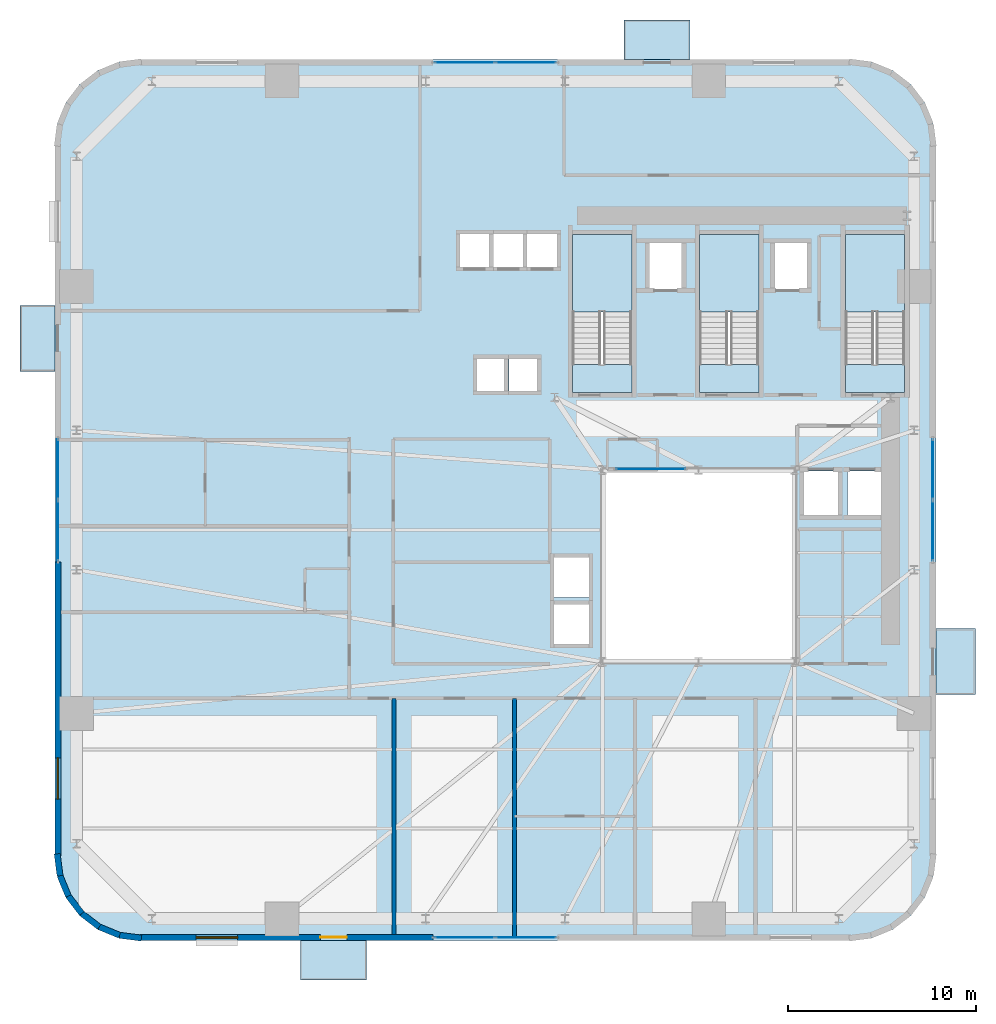
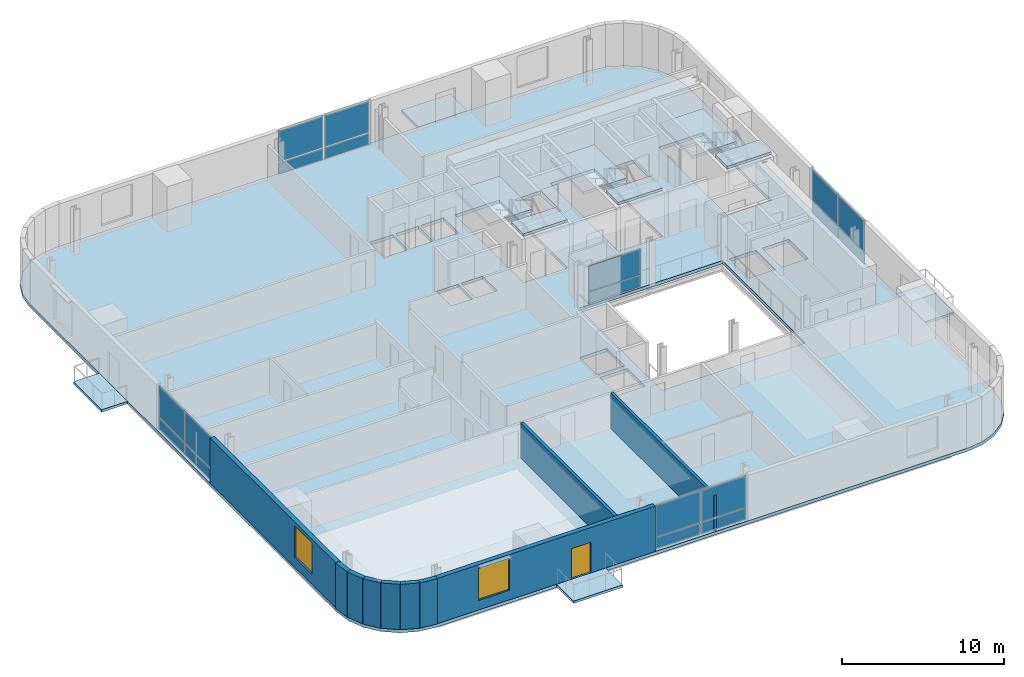
# One storey, part 5 of 13: 18 plates, 11 slabs, 10 walls, 2 windows, 1 door, 3 openings, 8 elements without a shape of their own.
"""IFC4 building model written with IfcOpenShell, lengths in metres."""

from ifc_helpers import new_model, si_unit, direction, frame, frame_2d, origin, origin_2d, place, context, subcontext, project, spatial, polyline, rectangle, outline, extrude, source, transform, mapped, material, layer, layer_set, type_object, element, fill, aggregate, save


model = new_model("IFC4")

# Units and contexts
model_context = context("Model", 3, precision=1e-05, world=origin(), true_north=direction((0.0, 1.0)))
body_context = subcontext(model_context, "Body", "Model", "MODEL_VIEW")
ifc_project = project(units=[si_unit("LENGTHUNIT", "METRE"), si_unit("AREAUNIT", "SQUARE_METRE"), si_unit("VOLUMEUNIT", "CUBIC_METRE"), si_unit("PLANEANGLEUNIT", "RADIAN"), si_unit("MASSUNIT", "GRAM", prefix="KILO")], contexts=[model_context])

# Site, building, storey
site_placement = place(None, origin())
site = spatial("IfcSite", under=ifc_project, at=site_placement, CompositionType="ELEMENT")
building_placement = place(site_placement, origin())
building = spatial("IfcBuilding", under=site, at=building_placement, Name="Vardaveli Station Tower", CompositionType="ELEMENT")
storey_placement = place(building_placement, frame((0.0, 0.0, 31.25)))
storey = spatial("IfcBuildingStorey", under=building, at=storey_placement, Name="L07", CompositionType="ELEMENT", Elevation=31.25)

# Stair, slabs
ifc_material_1 = material(Name="Concrete C40/50", Category="concrete")
stair_type = type_object("IfcStairType", Name="STR-CORE-1500", PredefinedType="HALF_TURN_STAIR", material=ifc_material_1)
stair_1_placement = place(storey_placement, origin())
stair_1 = element("IfcStair", 1, at=stair_1_placement, inside=storey, type_object=stair_type, Name="L07 ST-1", PredefinedType="HALF_TURN_STAIR")
ifc_layer_1 = layer(ifc_material_1, 0.199951171875, Name="Concrete C40/50")
ifc_layer_set_1 = layer_set([ifc_layer_1], Name="Concrete C40/50")
slab_type_1 = type_object("IfcSlabType", Name="SLB-LAND-200", PredefinedType="LANDING", material=ifc_layer_set_1)
slab_1_placement = place(storey_placement, frame((0.0, 0.0, 1.625)))
slab_1 = element("IfcSlab", 2, at=slab_1_placement, type_object=slab_type_1, Name="ST-1 landing 1", PredefinedType="LANDING", context=body_context, shape_type="SweptSolid", body=[
    extrude(outline(polyline([(32.75, 35.199951171875), (32.75, 39.300048828125), (29.60009765625, 39.300048828125), (29.60009765625, 35.199951171875), (32.75, 35.199951171875)])), origin(), (0.0, 0.0, 1.0), 0.199951171875),
])
slab_2_placement = place(storey_placement, frame((0.0, 0.0, 3.449951171875)))
slab_2 = element("IfcSlab", 3, at=slab_2_placement, type_object=slab_type_1, Name="ST-1 landing 2", PredefinedType="LANDING", context=body_context, shape_type="SweptSolid", body=[
    extrude(outline(polyline([(32.75, 30.89990234375), (32.75, 32.39990234375), (29.60009765625, 32.39990234375), (29.60009765625, 30.89990234375), (32.75, 30.89990234375)])), origin(), (0.0, 0.0, 1.0), 0.199951171875),
])
aggregate(stair_1, [slab_1, slab_2])

stair_2_placement = place(storey_placement, origin())
stair_2 = element("IfcStair", 4, at=stair_2_placement, inside=storey, type_object=stair_type, Name="L07 ST-2", PredefinedType="HALF_TURN_STAIR")
slab_3_placement = place(storey_placement, frame((0.0, 0.0, 1.625)))
slab_3 = element("IfcSlab", 5, at=slab_3_placement, type_object=slab_type_1, Name="ST-2 landing 1", PredefinedType="LANDING", context=body_context, shape_type="SweptSolid", body=[
    extrude(outline(polyline([(39.5, 35.199951171875), (39.5, 39.300048828125), (36.35009765625, 39.300048828125), (36.35009765625, 35.199951171875), (39.5, 35.199951171875)])), origin(), (0.0, 0.0, 1.0), 0.199951171875),
])
slab_4_placement = place(storey_placement, frame((0.0, 0.0, 3.449951171875)))
slab_4 = element("IfcSlab", 6, at=slab_4_placement, type_object=slab_type_1, Name="ST-2 landing 2", PredefinedType="LANDING", context=body_context, shape_type="SweptSolid", body=[
    extrude(outline(polyline([(39.5, 30.89990234375), (39.5, 32.39990234375), (36.35009765625, 32.39990234375), (36.35009765625, 30.89990234375), (39.5, 30.89990234375)])), origin(), (0.0, 0.0, 1.0), 0.199951171875),
])
aggregate(stair_2, [slab_3, slab_4])

stair_3_placement = place(storey_placement, origin())
stair_3 = element("IfcStair", 7, at=stair_3_placement, inside=storey, type_object=stair_type, Name="L07 ST-3", PredefinedType="HALF_TURN_STAIR")
slab_5_placement = place(storey_placement, frame((0.0, 0.0, 1.625)))
slab_5 = element("IfcSlab", 8, at=slab_5_placement, type_object=slab_type_1, Name="ST-3 landing 1", PredefinedType="LANDING", context=body_context, shape_type="SweptSolid", body=[
    extrude(outline(polyline([(47.25, 35.199951171875), (47.25, 39.300048828125), (44.10009765625, 39.300048828125), (44.10009765625, 35.199951171875), (47.25, 35.199951171875)])), origin(), (0.0, 0.0, 1.0), 0.199951171875),
])
slab_6_placement = place(storey_placement, frame((0.0, 0.0, 3.449951171875)))
slab_6 = element("IfcSlab", 9, at=slab_6_placement, type_object=slab_type_1, Name="ST-3 landing 2", PredefinedType="LANDING", context=body_context, shape_type="SweptSolid", body=[
    extrude(outline(polyline([(47.25, 30.89990234375), (47.25, 32.39990234375), (44.10009765625, 32.39990234375), (44.10009765625, 30.89990234375), (47.25, 30.89990234375)])), origin(), (0.0, 0.0, 1.0), 0.199951171875),
])
aggregate(stair_3, [slab_5, slab_6])

# Slabs
ifc_material_2 = material(Name="Precast concrete C45/55", Category="concrete")
ifc_layer_2 = layer(ifc_material_2, 0.179931640625, Name="Precast concrete C45/55")
ifc_layer_set_2 = layer_set([ifc_layer_2], Name="Precast concrete C45/55")
slab_type_2 = type_object("IfcSlabType", Name="SLB-LOGGIA-180", PredefinedType="FLOOR", material=ifc_layer_set_2)
slab_7_placement = place(storey_placement, frame((0.0, 0.0, -0.179931640625)))
element("IfcSlab", 10, at=slab_7_placement, inside=storey, type_object=slab_type_2, Name="LOG-L07-S", PredefinedType="FLOOR", context=body_context, shape_type="SweptSolid", body=[
    extrude(outline(polyline([(15.160400390625, -0.300048828125), (18.660400390625, -0.300048828125), (18.660400390625, 1.800048828125), (15.160400390625, 1.800048828125), (15.160400390625, -0.300048828125)])), origin(), (0.0, 0.0, 1.0), 0.179931640625),
])
slab_8_placement = place(storey_placement, frame((0.0, 0.0, -0.179931640625)))
element("IfcSlab", 11, at=slab_8_placement, inside=storey, type_object=slab_type_2, Name="LOG-L07-N", PredefinedType="FLOOR", context=body_context, shape_type="SweptSolid", body=[
    extrude(outline(polyline([(32.339599609375, 48.60009765625), (35.839599609375, 48.60009765625), (35.839599609375, 50.699951171875), (32.339599609375, 50.699951171875), (32.339599609375, 48.60009765625)])), origin(), (0.0, 0.0, 1.0), 0.179931640625),
])
slab_9_placement = place(storey_placement, frame((0.0, 0.0, -0.179931640625)))
element("IfcSlab", 12, at=slab_9_placement, inside=storey, type_object=slab_type_2, Name="LOG-L07-W", PredefinedType="FLOOR", context=body_context, shape_type="SweptSolid", body=[
    extrude(outline(polyline([(0.25, 32.03955078125), (2.10009765625, 32.03955078125), (2.10009765625, 35.53955078125), (0.25, 35.53955078125), (0.25, 32.03955078125)])), origin(), (0.0, 0.0, 1.0), 0.179931640625),
])
slab_10_placement = place(storey_placement, frame((0.0, 0.0, -0.179931640625)))
element("IfcSlab", 13, at=slab_10_placement, inside=storey, type_object=slab_type_2, Name="LOG-L07-E", PredefinedType="FLOOR", context=body_context, shape_type="SweptSolid", body=[
    extrude(outline(polyline([(48.89990234375, 14.8603515625), (51.0, 14.8603515625), (51.0, 18.3603515625), (48.89990234375, 18.3603515625), (48.89990234375, 14.8603515625)])), origin(), (0.0, 0.0, 1.0), 0.179931640625),
])
ifc_layer_3 = layer(ifc_material_1, 0.239990234375, Name="Concrete C40/50")
ifc_layer_set_3 = layer_set([ifc_layer_3], Name="Concrete C40/50")
slab_type_3 = type_object("IfcSlabType", Name="SLB-TOW-240", PredefinedType="FLOOR", material=ifc_layer_set_3)
slab_11_placement = place(storey_placement, frame((0.0, 0.0, -0.239990234375)))
element("IfcSlab", 14, at=slab_11_placement, inside=storey, type_object=slab_type_3, Name="SLB-L07-MAIN", PredefinedType="FLOOR", context=body_context, shape_type="SweptSolid", body=[
    extrude(outline(polyline([(2.10009765625, 6.300048828125), (2.25341796875, 5.13525390625), (2.702880859375, 4.050048828125), (3.41796875, 3.117919921875), (4.35009765625, 2.40283203125), (5.435302734375, 1.953369140625), (6.60009765625, 1.800048828125), (44.39990234375, 1.800048828125), (45.564697265625, 1.953369140625), (46.64990234375, 2.40283203125), (47.58203125, 3.117919921875), (48.297119140625, 4.050048828125), (48.74658203125, 5.13525390625), (48.89990234375, 6.300048828125), (48.89990234375, 44.10009765625), (48.74658203125, 45.2646484375), (48.297119140625, 46.35009765625), (47.58203125, 47.281982421875), (46.64990234375, 47.9970703125), (45.564697265625, 48.44677734375), (44.39990234375, 48.60009765625), (6.60009765625, 48.60009765625), (5.435302734375, 48.44677734375), (4.35009765625, 47.9970703125), (3.41796875, 47.281982421875), (2.702880859375, 46.35009765625), (2.25341796875, 45.2646484375), (2.10009765625, 44.10009765625), (2.10009765625, 6.300048828125)]), holes=[polyline([(31.199951171875, 16.60009765625), (41.39990234375, 16.60009765625), (41.39990234375, 26.800048828125), (31.199951171875, 26.800048828125), (31.199951171875, 16.60009765625)]), polyline([(32.75, 30.89990234375), (32.75, 39.300048828125), (29.60009765625, 39.300048828125), (29.60009765625, 30.89990234375), (32.75, 30.89990234375)]), polyline([(39.5, 30.89990234375), (39.5, 39.300048828125), (36.35009765625, 39.300048828125), (36.35009765625, 30.89990234375), (39.5, 30.89990234375)]), polyline([(47.25, 30.89990234375), (47.25, 39.300048828125), (44.10009765625, 39.300048828125), (44.10009765625, 30.89990234375), (47.25, 30.89990234375)]), polyline([(23.5849609375, 37.534912109375), (25.215087890625, 37.534912109375), (25.215087890625, 39.364990234375), (23.5849609375, 39.364990234375), (23.5849609375, 37.534912109375)]), polyline([(25.385009765625, 37.534912109375), (27.014892578125, 37.534912109375), (27.014892578125, 39.364990234375), (25.385009765625, 39.364990234375), (25.385009765625, 37.534912109375)]), polyline([(27.18505859375, 37.534912109375), (28.81494140625, 37.534912109375), (28.81494140625, 39.364990234375), (27.18505859375, 39.364990234375), (27.18505859375, 37.534912109375)]), polyline([(33.659912109375, 36.409912109375), (35.43994140625, 36.409912109375), (35.43994140625, 38.889892578125), (33.659912109375, 38.889892578125), (33.659912109375, 36.409912109375)]), polyline([(40.31005859375, 36.409912109375), (42.090087890625, 36.409912109375), (42.090087890625, 38.889892578125), (40.31005859375, 38.889892578125), (40.31005859375, 36.409912109375)]), polyline([(24.485107421875, 30.9599609375), (26.014892578125, 30.9599609375), (26.014892578125, 32.739990234375), (24.485107421875, 32.739990234375), (24.485107421875, 30.9599609375)]), polyline([(26.235107421875, 30.9599609375), (27.764892578125, 30.9599609375), (27.764892578125, 32.739990234375), (26.235107421875, 32.739990234375), (26.235107421875, 30.9599609375)]), polyline([(28.5849609375, 17.510009765625), (30.514892578125, 17.510009765625), (30.514892578125, 19.68994140625), (28.5849609375, 19.68994140625), (28.5849609375, 17.510009765625)]), polyline([(28.5849609375, 20.010009765625), (30.514892578125, 20.010009765625), (30.514892578125, 22.18994140625), (28.5849609375, 22.18994140625), (28.5849609375, 20.010009765625)]), polyline([(41.860107421875, 24.360107421875), (43.739990234375, 24.360107421875), (43.739990234375, 26.739990234375), (41.860107421875, 26.739990234375), (41.860107421875, 24.360107421875)]), polyline([(44.2099609375, 24.360107421875), (46.090087890625, 24.360107421875), (46.090087890625, 26.739990234375), (44.2099609375, 26.739990234375), (44.2099609375, 24.360107421875)])]), origin(), (0.0, 0.0, 1.0), 0.239990234375),
])

# Curtain wall, plates
ifc_material_3 = material(Name="Travertine stone and solar-control glass", Category="masonry")
curtain_wall_type_1 = type_object("IfcCurtainWallType", Name="CW-SYS-2", PredefinedType="NOTDEFINED", material=ifc_material_3)
curtain_wall_1_placement = place(storey_placement, origin())
curtain_wall_1 = element("IfcCurtainWall", 15, at=curtain_wall_1_placement, inside=storey, type_object=curtain_wall_type_1, Name="CW-L07-S", PredefinedType="NOTDEFINED")
ifc_material_4 = material(Name="Double-glazed low-E solar-control glass", Category="glass")
ifc_layer_4 = layer(ifc_material_4, 0.035888671875, Name="Double-glazed low-E solar-control glass")
ifc_layer_set_4 = layer_set([ifc_layer_4], Name="Double-glazed low-E solar-control glass")
plate_type_1 = type_object("IfcPlateType", Name="CW-SYS-2-PAN", PredefinedType="CURTAIN_PANEL", material=ifc_layer_set_4)
shared_shape_1 = source(origin(), body_context, "Body", "SweptSolid", [
    extrude(rectangle(XDim=3.172607421875, YDim=0.035888671875, at=origin_2d()), origin(), (0.0, 0.0, 1.0), 0.822509765625),
])
plate_1_placement = place(storey_placement, frame((23.871337890625, 1.9599609375, 0.0849609375), z_axis=(0.0, 0.0, 1.0), x_axis=(1.0, 0.0, 0.0)))
plate_1 = element("IfcPlate", 16, at=plate_1_placement, type_object=plate_type_1, Name="CW-2 panel 1.1", PredefinedType="CURTAIN_PANEL", context=body_context, shape_type="MappedRepresentation", body=[
    mapped(shared_shape_1, transform((0.0, 0.0, 0.0), scale=1.0)),
])
plate_2_placement = place(storey_placement, frame((27.128662109375, 1.9599609375, 0.0849609375), z_axis=(0.0, 0.0, 1.0), x_axis=(1.0, 0.0, 0.0)))
plate_2 = element("IfcPlate", 17, at=plate_2_placement, type_object=plate_type_1, Name="CW-2 panel 2.1", PredefinedType="CURTAIN_PANEL", context=body_context, shape_type="MappedRepresentation", body=[
    mapped(shared_shape_1, transform((0.0, 0.0, 0.0), scale=1.0)),
])

curtain_wall_2_placement = place(storey_placement, origin())
curtain_wall_2 = element("IfcCurtainWall", 18, at=curtain_wall_2_placement, inside=storey, type_object=curtain_wall_type_1, Name="CW-L07-N", PredefinedType="NOTDEFINED")
plate_3_placement = place(storey_placement, frame((27.128662109375, 48.43994140625, 0.0849609375), z_axis=(0.0, 0.0, 1.0), x_axis=(-1.0, 0.0, 0.0)))
plate_3 = element("IfcPlate", 19, at=plate_3_placement, type_object=plate_type_1, Name="CW-2 panel 1.1", PredefinedType="CURTAIN_PANEL", context=body_context, shape_type="MappedRepresentation", body=[
    mapped(shared_shape_1, transform((0.0, 0.0, 0.0), scale=1.0)),
])
plate_4_placement = place(storey_placement, frame((23.871337890625, 48.43994140625, 0.0849609375), z_axis=(0.0, 0.0, 1.0), x_axis=(-1.0, 0.0, 0.0)))
plate_4 = element("IfcPlate", 20, at=plate_4_placement, type_object=plate_type_1, Name="CW-2 panel 2.1", PredefinedType="CURTAIN_PANEL", context=body_context, shape_type="MappedRepresentation", body=[
    mapped(shared_shape_1, transform((0.0, 0.0, 0.0), scale=1.0)),
])

curtain_wall_3_placement = place(storey_placement, origin())
curtain_wall_3 = element("IfcCurtainWall", 21, at=curtain_wall_3_placement, inside=storey, type_object=curtain_wall_type_1, Name="CW-L07-W", PredefinedType="NOTDEFINED")
plate_5_placement = place(storey_placement, frame((2.260009765625, 26.828857421875, 0.0849609375), z_axis=(0.0, 0.0, 1.0), x_axis=(0.0, -1.0, 0.0)))
plate_5 = element("IfcPlate", 22, at=plate_5_placement, type_object=plate_type_1, Name="CW-2 panel 1.1", PredefinedType="CURTAIN_PANEL", context=body_context, shape_type="MappedRepresentation", body=[
    mapped(shared_shape_1, transform((0.0, 0.0, 0.0), scale=1.0)),
])
plate_6_placement = place(storey_placement, frame((2.260009765625, 23.5712890625, 0.0849609375), z_axis=(0.0, 0.0, 1.0), x_axis=(0.0, -1.0, 0.0)))
plate_6 = element("IfcPlate", 23, at=plate_6_placement, type_object=plate_type_1, Name="CW-2 panel 2.1", PredefinedType="CURTAIN_PANEL", context=body_context, shape_type="MappedRepresentation", body=[
    mapped(shared_shape_1, transform((0.0, 0.0, 0.0), scale=1.0)),
])

curtain_wall_4_placement = place(storey_placement, origin())
curtain_wall_4 = element("IfcCurtainWall", 24, at=curtain_wall_4_placement, inside=storey, type_object=curtain_wall_type_1, Name="CW-L07-E", PredefinedType="NOTDEFINED")
plate_7_placement = place(storey_placement, frame((48.739990234375, 23.5712890625, 0.0849609375), z_axis=(0.0, 0.0, 1.0), x_axis=(0.0, 1.0, 0.0)))
plate_7 = element("IfcPlate", 25, at=plate_7_placement, type_object=plate_type_1, Name="CW-2 panel 1.1", PredefinedType="CURTAIN_PANEL", context=body_context, shape_type="MappedRepresentation", body=[
    mapped(shared_shape_1, transform((0.0, 0.0, 0.0), scale=1.0)),
])
plate_8_placement = place(storey_placement, frame((48.739990234375, 26.828857421875, 0.0849609375), z_axis=(0.0, 0.0, 1.0), x_axis=(0.0, 1.0, 0.0)))
plate_8 = element("IfcPlate", 26, at=plate_8_placement, type_object=plate_type_1, Name="CW-2 panel 2.1", PredefinedType="CURTAIN_PANEL", context=body_context, shape_type="MappedRepresentation", body=[
    mapped(shared_shape_1, transform((0.0, 0.0, 0.0), scale=1.0)),
])

# Plate
shared_shape_2 = source(origin(), body_context, "Body", "SweptSolid", [
    extrude(rectangle(XDim=3.172607421875, YDim=0.035888671875, at=origin_2d()), origin(), (0.0, 0.0, 1.0), 2.33251953125),
])
plate_9_placement = place(storey_placement, frame((23.871337890625, 1.9599609375, 0.992431640625), z_axis=(0.0, 0.0, 1.0), x_axis=(1.0, 0.0, 0.0)))
plate_9 = element("IfcPlate", 27, at=plate_9_placement, type_object=plate_type_1, Name="CW-2 panel 1.2", PredefinedType="CURTAIN_PANEL", context=body_context, shape_type="MappedRepresentation", body=[
    mapped(shared_shape_2, transform((0.0, 0.0, 0.0), scale=1.0)),
])

plate_10_placement = place(storey_placement, frame((27.128662109375, 1.9599609375, 0.992431640625), z_axis=(0.0, 0.0, 1.0), x_axis=(1.0, 0.0, 0.0)))
plate_10 = element("IfcPlate", 28, at=plate_10_placement, type_object=plate_type_1, Name="CW-2 panel 2.2", PredefinedType="CURTAIN_PANEL", context=body_context, shape_type="MappedRepresentation", body=[
    mapped(shared_shape_2, transform((0.0, 0.0, 0.0), scale=1.0)),
])

aggregate(curtain_wall_1, [plate_1, plate_9, plate_2, plate_10])

plate_11_placement = place(storey_placement, frame((27.128662109375, 48.43994140625, 0.992431640625), z_axis=(0.0, 0.0, 1.0), x_axis=(-1.0, 0.0, 0.0)))
plate_11 = element("IfcPlate", 29, at=plate_11_placement, type_object=plate_type_1, Name="CW-2 panel 1.2", PredefinedType="CURTAIN_PANEL", context=body_context, shape_type="MappedRepresentation", body=[
    mapped(shared_shape_2, transform((0.0, 0.0, 0.0), scale=1.0)),
])

plate_12_placement = place(storey_placement, frame((23.871337890625, 48.43994140625, 0.992431640625), z_axis=(0.0, 0.0, 1.0), x_axis=(-1.0, 0.0, 0.0)))
plate_12 = element("IfcPlate", 30, at=plate_12_placement, type_object=plate_type_1, Name="CW-2 panel 2.2", PredefinedType="CURTAIN_PANEL", context=body_context, shape_type="MappedRepresentation", body=[
    mapped(shared_shape_2, transform((0.0, 0.0, 0.0), scale=1.0)),
])

aggregate(curtain_wall_2, [plate_3, plate_11, plate_4, plate_12])

plate_13_placement = place(storey_placement, frame((2.260009765625, 26.828857421875, 0.992431640625), z_axis=(0.0, 0.0, 1.0), x_axis=(0.0, -1.0, 0.0)))
plate_13 = element("IfcPlate", 31, at=plate_13_placement, type_object=plate_type_1, Name="CW-2 panel 1.2", PredefinedType="CURTAIN_PANEL", context=body_context, shape_type="MappedRepresentation", body=[
    mapped(shared_shape_2, transform((0.0, 0.0, 0.0), scale=1.0)),
])

plate_14_placement = place(storey_placement, frame((2.260009765625, 23.5712890625, 0.992431640625), z_axis=(0.0, 0.0, 1.0), x_axis=(0.0, -1.0, 0.0)))
plate_14 = element("IfcPlate", 32, at=plate_14_placement, type_object=plate_type_1, Name="CW-2 panel 2.2", PredefinedType="CURTAIN_PANEL", context=body_context, shape_type="MappedRepresentation", body=[
    mapped(shared_shape_2, transform((0.0, 0.0, 0.0), scale=1.0)),
])

aggregate(curtain_wall_3, [plate_5, plate_13, plate_6, plate_14])

plate_15_placement = place(storey_placement, frame((48.739990234375, 23.5712890625, 0.992431640625), z_axis=(0.0, 0.0, 1.0), x_axis=(0.0, 1.0, 0.0)))
plate_15 = element("IfcPlate", 33, at=plate_15_placement, type_object=plate_type_1, Name="CW-2 panel 1.2", PredefinedType="CURTAIN_PANEL", context=body_context, shape_type="MappedRepresentation", body=[
    mapped(shared_shape_2, transform((0.0, 0.0, 0.0), scale=1.0)),
])

plate_16_placement = place(storey_placement, frame((48.739990234375, 26.828857421875, 0.992431640625), z_axis=(0.0, 0.0, 1.0), x_axis=(0.0, 1.0, 0.0)))
plate_16 = element("IfcPlate", 34, at=plate_16_placement, type_object=plate_type_1, Name="CW-2 panel 2.2", PredefinedType="CURTAIN_PANEL", context=body_context, shape_type="MappedRepresentation", body=[
    mapped(shared_shape_2, transform((0.0, 0.0, 0.0), scale=1.0)),
])

aggregate(curtain_wall_4, [plate_7, plate_15, plate_8, plate_16])

# Curtain wall, plates
curtain_wall_type_2 = type_object("IfcCurtainWallType", Name="CW-SYS-4", PredefinedType="NOTDEFINED", material=ifc_material_3)
curtain_wall_5_placement = place(storey_placement, origin())
curtain_wall_5 = element("IfcCurtainWall", 35, at=curtain_wall_5_placement, inside=storey, type_object=curtain_wall_type_2, Name="CW-L07-ATN", PredefinedType="NOTDEFINED")
ifc_layer_5 = layer(ifc_material_4, 0.028076171875, Name="Double-glazed low-E solar-control glass")
ifc_layer_set_5 = layer_set([ifc_layer_5], Name="Double-glazed low-E solar-control glass")
plate_type_2 = type_object("IfcPlateType", Name="CW-SYS-4-PAN", PredefinedType="CURTAIN_PANEL", material=ifc_layer_set_5)
shared_shape_3 = source(origin(), body_context, "Body", "SweptSolid", [
    extrude(rectangle(XDim=3.659912109375, YDim=0.028076171875, at=origin_2d()), origin(), (0.0, 0.0, 1.0), 0.844970703125),
])
plate_17_placement = place(storey_placement, frame((33.75, 26.85009765625, 0.06982421875), z_axis=(0.0, 0.0, 1.0), x_axis=(1.0, 0.0, 0.0)))
plate_17 = element("IfcPlate", 36, at=plate_17_placement, type_object=plate_type_2, Name="CW-4 panel 1.1", PredefinedType="CURTAIN_PANEL", context=body_context, shape_type="MappedRepresentation", body=[
    mapped(shared_shape_3, transform((0.0, 0.0, 0.0), scale=1.0)),
])
shared_shape_4 = source(origin(), body_context, "Body", "SweptSolid", [
    extrude(rectangle(XDim=3.659912109375, YDim=0.028076171875, at=origin_2d()), origin(), (0.0, 0.0, 1.0), 1.89501953125),
])
plate_18_placement = place(storey_placement, frame((33.75, 26.85009765625, 0.985107421875), z_axis=(0.0, 0.0, 1.0), x_axis=(1.0, 0.0, 0.0)))
plate_18 = element("IfcPlate", 37, at=plate_18_placement, type_object=plate_type_2, Name="CW-4 panel 1.2", PredefinedType="CURTAIN_PANEL", context=body_context, shape_type="MappedRepresentation", body=[
    mapped(shared_shape_4, transform((0.0, 0.0, 0.0), scale=1.0)),
])
aggregate(curtain_wall_5, [plate_17, plate_18])

# Wall, openings, door, window
ifc_layer_6 = layer(ifc_material_2, 0.320068359375, Name="Precast concrete C45/55")
ifc_layer_set_6 = layer_set([ifc_layer_6], Name="Precast concrete C45/55")
wall_type_1 = type_object("IfcWallType", Name="WAL-EXT-STONE-320", PredefinedType="SOLIDWALL", material=ifc_layer_set_6)
shared_shape_5 = source(origin(), body_context, "Body", "SweptSolid", [
    extrude(rectangle(XDim=15.599853515625, YDim=0.320068359375, at=frame_2d((7.7998046875, 0.0))), origin(), (0.0, 0.0, 1.0), 3.409912109375),
])
wall_1_placement = place(storey_placement, frame((6.60009765625, 1.9599609375, 0.0), z_axis=(0.0, 0.0, 1.0), x_axis=(1.0, 0.0, 0.0)))
wall_1 = element("IfcWall", 38, at=wall_1_placement, inside=storey, type_object=wall_type_1, Name="EW-L07-S1", PredefinedType="SOLIDWALL", context=body_context, shape_type="MappedRepresentation", body=[
    mapped(shared_shape_5, transform((0.0, 0.0, 0.0), scale=1.0)),
])
shared_shape_6 = source(origin(), body_context, "Body", "SweptSolid", [
    extrude(rectangle(XDim=1.39990234375, YDim=2.300048828125, at=frame_2d((0.699951171875, 1.14990234375))), frame((0.0, 0.169921875, 0.0), z_axis=(0.0, -1.0, 0.0), x_axis=(1.0, 0.0, 0.0)), (0.0, 0.0, 1.0), 0.340087890625),
])
opening_1_placement = place(wall_1_placement, frame((9.6103515625, 0.0, 0.0)))
opening_1 = element("IfcOpeningElement", 39, at=opening_1_placement, cuts=wall_1, Name="Opening D-09", PredefinedType="OPENING", context=body_context, shape_type="MappedRepresentation", body=[
    mapped(shared_shape_6, transform((0.0, 0.0, 0.0), scale=1.0)),
])
shared_shape_7 = source(origin(), body_context, "Body", "SweptSolid", [
    extrude(rectangle(XDim=2.199951171875, YDim=2.39990234375, at=frame_2d((1.10009765625, 1.199951171875))), frame((0.0, 0.169921875, 0.0), z_axis=(0.0, -1.0, 0.0), x_axis=(1.0, 0.0, 0.0)), (0.0, 0.0, 1.0), 0.340087890625),
])
opening_2_placement = place(wall_1_placement, frame((3.0048828125, 0.0, 0.719970703125)))
opening_2 = element("IfcOpeningElement", 40, at=opening_2_placement, cuts=wall_1, Name="Opening W-03", PredefinedType="OPENING", context=body_context, shape_type="MappedRepresentation", body=[
    mapped(shared_shape_7, transform((0.0, 0.0, 0.0), scale=1.0)),
])
ifc_material_5 = material(Name="Thermally broken aluminium glass", Category="aluminium")
door_type = type_object("IfcDoorType", Name="DR-LOG-1400x2300", OperationType="DOUBLE_DOOR_SLIDING", PredefinedType="DOOR", material=ifc_material_5)
shared_shape_8 = source(origin(), body_context, "Body", "SweptSolid", [
    extrude(rectangle(XDim=1.39990234375, YDim=2.300048828125, at=frame_2d((0.699951171875, 1.14990234375))), frame((0.0, 0.02490234375, 0.0), z_axis=(0.0, -1.0, 0.0), x_axis=(1.0, 0.0, 0.0)), (0.0, 0.0, 1.0), 0.050048828125),
])
door_placement = place(opening_1_placement, frame((1.39990234375, 0.0, 0.0), z_axis=(0.0, 0.0, 1.0), x_axis=(-1.0, 0.0, 0.0)))
door = element("IfcDoor", 41, at=door_placement, inside=storey, type_object=door_type, Name="DLG-L07-S", OperationType="DOUBLE_DOOR_SLIDING", OverallHeight=2.300048828125, OverallWidth=1.39990234375, PredefinedType="DOOR", context=body_context, shape_type="MappedRepresentation", body=[
    mapped(shared_shape_8, transform((0.0, 0.0, 0.0), scale=1.0)),
])
fill(opening_1, door)
ifc_material_6 = material(Name="Low-E solar-control glass", Category="glass")
window_type = type_object("IfcWindowType", Name="WIN-LOG-2200x2400", PartitioningType="SINGLE_PANEL", PredefinedType="WINDOW", material=ifc_material_6)
shared_shape_9 = source(origin(), body_context, "Body", "SweptSolid", [
    extrude(rectangle(XDim=2.199951171875, YDim=2.39990234375, at=frame_2d((1.10009765625, 1.199951171875))), frame((0.0, 0.030029296875, 0.0), z_axis=(0.0, -1.0, 0.0), x_axis=(1.0, 0.0, 0.0)), (0.0, 0.0, 1.0), 0.06005859375),
])
window_1_placement = place(opening_2_placement, origin())
window_1 = element("IfcWindow", 42, at=window_1_placement, inside=storey, type_object=window_type, Name="WN-L07-S1", OverallHeight=2.39990234375, OverallWidth=2.199951171875, PartitioningType="SINGLE_PANEL", PredefinedType="WINDOW", context=body_context, shape_type="MappedRepresentation", body=[
    mapped(shared_shape_9, transform((0.0, 0.0, 0.0), scale=1.0)),
])
fill(opening_2, window_1)

# Wall, opening, window
wall_2_placement = place(storey_placement, frame((2.260009765625, 21.89990234375, 0.0), z_axis=(0.0, 0.0, 1.0), x_axis=(0.0, -1.0, 0.0)))
wall_2 = element("IfcWall", 43, at=wall_2_placement, inside=storey, type_object=wall_type_1, Name="EW-L07-W2", PredefinedType="SOLIDWALL", context=body_context, shape_type="MappedRepresentation", body=[
    mapped(shared_shape_5, transform((0.0, 0.0, 0.0), scale=1.0)),
])
opening_3_placement = place(wall_2_placement, frame((10.39501953125, 0.0, 0.719970703125)))
opening_3 = element("IfcOpeningElement", 44, at=opening_3_placement, cuts=wall_2, Name="Opening W-03", PredefinedType="OPENING", context=body_context, shape_type="MappedRepresentation", body=[
    mapped(shared_shape_7, transform((0.0, 0.0, 0.0), scale=1.0)),
])
window_2_placement = place(opening_3_placement, origin())
window_2 = element("IfcWindow", 45, at=window_2_placement, inside=storey, type_object=window_type, Name="WN-L07-W2", OverallHeight=2.39990234375, OverallWidth=2.199951171875, PartitioningType="SINGLE_PANEL", PredefinedType="WINDOW", context=body_context, shape_type="MappedRepresentation", body=[
    mapped(shared_shape_9, transform((0.0, 0.0, 0.0), scale=1.0)),
])
fill(opening_3, window_2)

# Walls
shared_shape_10 = source(origin(), body_context, "Body", "SweptSolid", [
    extrude(rectangle(XDim=1.170654296875, YDim=0.320068359375, at=frame_2d((0.58544921875, 0.0))), origin(), (0.0, 0.0, 1.0), 3.409912109375),
])
wall_3_placement = place(storey_placement, frame((2.224365234375, 6.400634765625, 0.0), z_axis=(0.0, 0.0, 1.0), x_axis=(0.128269133229, -0.991739395941, 0.0)))
element("IfcWall", 46, at=wall_3_placement, inside=storey, type_object=wall_type_1, Name="EW-L07-CR1-1", PredefinedType="SOLIDWALL", context=body_context, shape_type="MappedRepresentation", body=[
    mapped(shared_shape_10, transform((0.0, 0.0, 0.0), scale=1.0)),
])
shared_shape_11 = source(origin(), body_context, "Body", "SweptSolid", [
    extrude(rectangle(XDim=1.1689453125, YDim=0.320068359375, at=frame_2d((0.58447265625, 0.0))), origin(), (0.0, 0.0, 1.0), 3.409912109375),
])
for number, where, z_axis, x_axis, name in (
    (47, (2.37451171875, 5.23974609375, 0.0), (0.0, 0.0, 1.0), (0.381127904695, -0.924522320046, 0.0), "EW-L07-CR1-2"),
    (48, (2.820068359375, 4.158935546875, 0.0), (0.0, 0.0, 1.0), (0.608387696831, -0.793639975269, 0.0), "EW-L07-CR1-3"),
):
    element("IfcWall", number, at=place(storey_placement, frame(where, z_axis=z_axis, x_axis=x_axis)), inside=storey, type_object=wall_type_1, Name=name, PredefinedType="SOLIDWALL", context=body_context, shape_type="MappedRepresentation", body=[
        mapped(shared_shape_11, transform((0.0, 0.0, 0.0), scale=1.0)),
    ])
shared_shape_12 = source(origin(), body_context, "Body", "SweptSolid", [
    extrude(rectangle(XDim=1.168701171875, YDim=0.320068359375, at=frame_2d((0.58447265625, 0.0))), origin(), (0.0, 0.0, 1.0), 3.409912109375),
])
wall_4_placement = place(storey_placement, frame((3.53125, 3.231201171875, 0.0), z_axis=(0.0, 0.0, 1.0), x_axis=(0.793663520347, -0.608356981114, 0.0)))
element("IfcWall", 49, at=wall_4_placement, inside=storey, type_object=wall_type_1, Name="EW-L07-CR1-4", PredefinedType="SOLIDWALL", context=body_context, shape_type="MappedRepresentation", body=[
    mapped(shared_shape_12, transform((0.0, 0.0, 0.0), scale=1.0)),
])
shared_shape_13 = source(origin(), body_context, "Body", "SweptSolid", [
    extrude(rectangle(XDim=1.16943359375, YDim=0.320068359375, at=frame_2d((0.584716796875, 0.0))), origin(), (0.0, 0.0, 1.0), 3.409912109375),
])
wall_5_placement = place(storey_placement, frame((4.458740234375, 2.520263671875, 0.0), z_axis=(0.0, 0.0, 1.0), x_axis=(0.924479075121, -0.381232789334, 0.0)))
element("IfcWall", 50, at=wall_5_placement, inside=storey, type_object=wall_type_1, Name="EW-L07-CR1-5", PredefinedType="SOLIDWALL", context=body_context, shape_type="MappedRepresentation", body=[
    mapped(shared_shape_13, transform((0.0, 0.0, 0.0), scale=1.0)),
])
shared_shape_14 = source(origin(), body_context, "Body", "SweptSolid", [
    extrude(rectangle(XDim=1.170166015625, YDim=0.320068359375, at=frame_2d((0.5849609375, 0.0))), origin(), (0.0, 0.0, 1.0), 3.409912109375),
])
wall_6_placement = place(storey_placement, frame((5.539794921875, 2.074462890625, 0.0), z_axis=(0.0, 0.0, 1.0), x_axis=(0.991762485493, -0.128090485085, 0.0)))
element("IfcWall", 51, at=wall_6_placement, inside=storey, type_object=wall_type_1, Name="EW-L07-CR1-6", PredefinedType="SOLIDWALL", context=body_context, shape_type="MappedRepresentation", body=[
    mapped(shared_shape_14, transform((0.0, 0.0, 0.0), scale=1.0)),
])
ifc_material_7 = material(Name="Acoustic twin-stud gypsum partition")
ifc_layer_7 = layer(ifc_material_7, 0.199951171875, Name="Acoustic twin-stud gypsum partition")
ifc_layer_set_7 = layer_set([ifc_layer_7], Name="Acoustic twin-stud gypsum partition")
wall_type_2 = type_object("IfcWallType", Name="WAL-PARTY-200", PredefinedType="PARTITIONING", material=ifc_layer_set_7)
shared_shape_15 = source(origin(), body_context, "Body", "SweptSolid", [
    extrude(rectangle(XDim=12.537841796875, YDim=0.199951171875, at=frame_2d((6.26904296875, 0.0))), origin(), (0.0, 0.0, 1.0), 2.652099609375),
])
wall_7_placement = place(storey_placement, frame((20.1201171875, 2.1220703125, 0.0), z_axis=(0.0, 0.0, 1.0), x_axis=(0.0, 1.0, 0.0)))
element("IfcWall", 52, at=wall_7_placement, inside=storey, type_object=wall_type_2, Name="W-L07-PS1", PredefinedType="PARTITIONING", context=body_context, shape_type="MappedRepresentation", body=[
    mapped(shared_shape_15, transform((0.0, 0.0, 0.0), scale=1.0)),
])
shared_shape_16 = source(origin(), body_context, "Body", "SweptSolid", [
    extrude(rectangle(XDim=12.72998046875, YDim=0.199951171875, at=frame_2d((6.364990234375, 0.0))), origin(), (0.0, 0.0, 1.0), 2.652099609375),
])
wall_8_placement = place(storey_placement, frame((26.52294921875, 1.929931640625, 0.0), z_axis=(0.0, 0.0, 1.0), x_axis=(0.0, 1.0, 0.0)))
element("IfcWall", 53, at=wall_8_placement, inside=storey, type_object=wall_type_2, Name="W-L07-PS2", PredefinedType="PARTITIONING", context=body_context, shape_type="MappedRepresentation", body=[
    mapped(shared_shape_16, transform((0.0, 0.0, 0.0), scale=1.0)),
])

save(model, "model.ifc")
